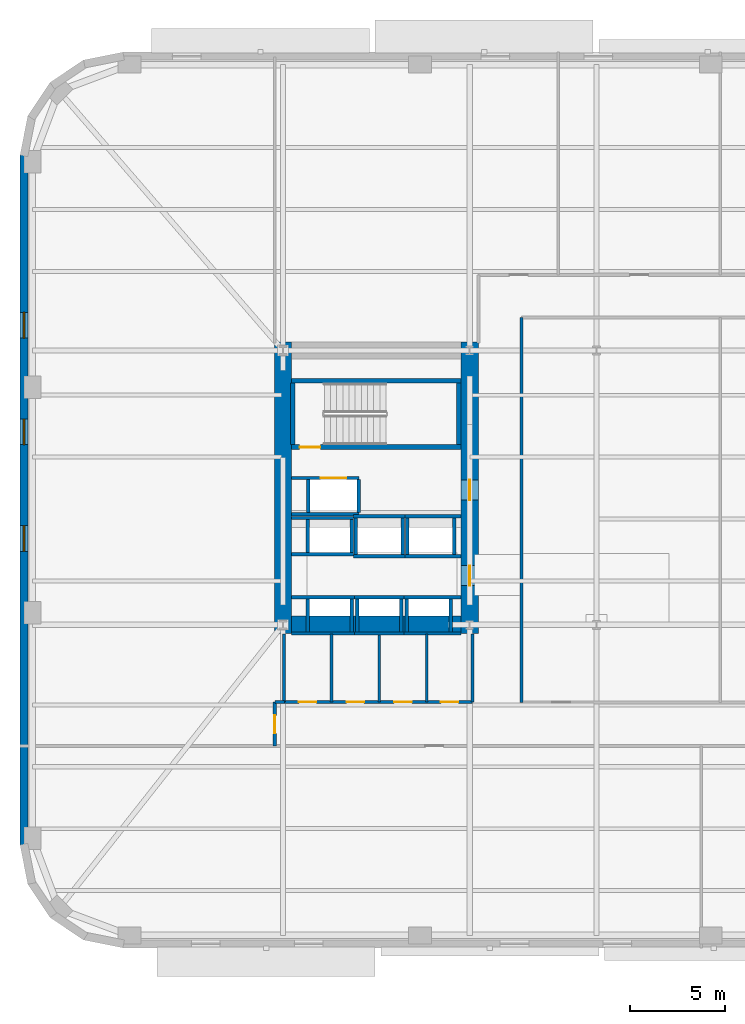
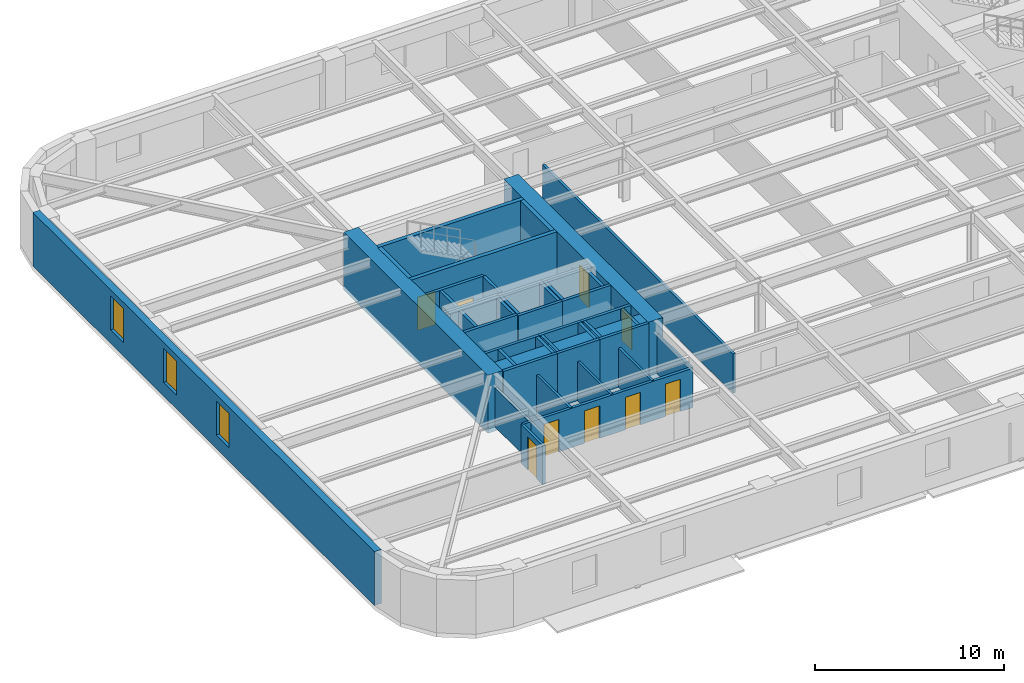
# One storey, part 4 of 15: 45 walls, 9 doors, 3 windows, 12 openings.
"""IFC4 building model written with IfcOpenShell, lengths in metres."""

from ifc_helpers import new_model, si_unit, direction, frame, frame_2d, origin, place, context, subcontext, project, spatial, rectangle, extrude, material, layer, layer_set, type_object, element, fill, save


model = new_model("IFC4")

# Units and contexts
model_context = context("Model", 3, precision=1e-05, world=origin(), true_north=direction((0.0, 1.0)))
body_context = subcontext(model_context, "Body", "Model", "MODEL_VIEW")
ifc_project = project(units=[si_unit("LENGTHUNIT", "METRE"), si_unit("AREAUNIT", "SQUARE_METRE"), si_unit("VOLUMEUNIT", "CUBIC_METRE"), si_unit("PLANEANGLEUNIT", "RADIAN"), si_unit("MASSUNIT", "GRAM", prefix="KILO")], contexts=[model_context])

# Site, building, storey
site_placement = place(None, origin())
site = spatial("IfcSite", under=ifc_project, at=site_placement, CompositionType="ELEMENT")
building_placement = place(site_placement, origin())
building = spatial("IfcBuilding", under=site, at=building_placement, Name="Kolvaren Arena Tower", CompositionType="ELEMENT")
storey_placement = place(building_placement, frame((0.0, 0.0, 45.75)))
storey = spatial("IfcBuildingStorey", under=building, at=storey_placement, Name="L08", CompositionType="ELEMENT", Elevation=45.75)

# Wall
ifc_material_1 = material(Name="Gypsum board acoustic assembly", Category="gypsum")
ifc_layer_1 = layer(ifc_material_1, 0.159912109375)
ifc_layer_set_1 = layer_set([ifc_layer_1], Name="Gypsum board acoustic assembly")
wall_type_1 = type_object("IfcWallType", Name="CORR-160", PredefinedType="PARTITIONING", material=ifc_layer_set_1)
wall_1_placement = place(storey_placement, frame((27.080078125, 15.3798828125, 0.0), z_axis=(0.0, 0.0, 1.0), x_axis=(0.0, 1.0, 0.0)))
element("IfcWall", 1, at=wall_1_placement, inside=storey, type_object=wall_type_1, Name="Interior Partition Wall (L08)", PredefinedType="PARTITIONING", context=body_context, shape_type="SweptSolid", body=[
    extrude(rectangle(XDim=20.2001953125, YDim=0.159912109375, at=frame_2d((10.10009765625, 0.0))), origin(), (0.0, 0.0, 1.0), 2.5400390625),
])

# Wall, opening, door
wall_2_placement = place(storey_placement, frame((14.1201171875, 13.10009765625, 0.0), z_axis=(0.0, 0.0, 1.0), x_axis=(0.0, 1.0, 0.0)))
wall_2 = element("IfcWall", 2, at=wall_2_placement, inside=storey, type_object=wall_type_1, Name="Interior Partition Wall (L08)", PredefinedType="PARTITIONING", context=body_context, shape_type="SweptSolid", body=[
    extrude(rectangle(XDim=2.2998046875, YDim=0.159912109375, at=frame_2d((1.14990234375, 0.0))), origin(), (0.0, 0.0, 1.0), 2.5400390625),
])
opening_1_placement = place(wall_2_placement, frame((0.64990234375, 0.0, 0.0)))
opening_1 = element("IfcOpeningElement", 3, at=opening_1_placement, cuts=wall_2, Name="Opening D05", PredefinedType="OPENING", context=body_context, shape_type="SweptSolid", body=[
    extrude(rectangle(XDim=0.949951171875, YDim=2.14990234375, at=frame_2d((0.47509765625, 1.074951171875))), frame((0.0, 0.08984375, 0.0), z_axis=(0.0, -1.0, 0.0), x_axis=(1.0, 0.0, 0.0)), (0.0, 0.0, 1.0), 0.179931640625),
])
ifc_material_2 = material(Name="Solid-core oak acoustic office door", Category="wood")
door_type_1 = type_object("IfcDoorType", Name="DOOR-OF-095", OperationType="NOTDEFINED", PredefinedType="DOOR", material=ifc_material_2)
door_1_placement = place(opening_1_placement, origin())
door_1 = element("IfcDoor", 4, at=door_1_placement, inside=storey, type_object=door_type_1, Name="West Wing Office Door (L08)", OperationType="SINGLE_SWING_LEFT", OverallHeight=2.14990234375, OverallWidth=0.949951171875, PredefinedType="DOOR", context=body_context, shape_type="SweptSolid", body=[
    extrude(rectangle(XDim=0.949951171875, YDim=2.14990234375, at=frame_2d((0.47509765625, 1.074951171875))), frame((0.0, 0.02490234375, 0.0), z_axis=(0.0, -1.0, 0.0), x_axis=(1.0, 0.0, 0.0)), (0.0, 0.0, 1.0), 0.050048828125),
])
fill(opening_1, door_1)

# Walls
wall_3_placement = place(storey_placement, frame((14.1201171875, 15.39990234375, 0.0), z_axis=(0.0, 0.0, 1.0), x_axis=(1.0, 0.0, 0.0)))
element("IfcWall", 5, at=wall_3_placement, inside=storey, type_object=wall_type_1, Name="Interior Partition Wall (L08)", PredefinedType="PARTITIONING", context=body_context, shape_type="SweptSolid", body=[
    extrude(rectangle(XDim=0.5, YDim=0.159912109375, at=frame_2d((0.25, 0.0))), origin(), (0.0, 0.0, 1.0), 2.5400390625),
])
ifc_material_3 = material(Name="Concrete 80 MPa", Category="concrete")
ifc_layer_2 = layer(ifc_material_3, 0.89990234375)
ifc_layer_set_2 = layer_set([ifc_layer_2], Name="Concrete 80 MPa")
wall_type_2 = type_object("IfcWallType", Name="CWALL-900", PredefinedType="SHEAR", material=ifc_layer_set_2)
wall_4_placement = place(storey_placement, frame((14.550048828125, 19.0, -0.27001953125), z_axis=(0.0, 0.0, 1.0), x_axis=(0.0, 1.0, 0.0)))
element("IfcWall", 6, at=wall_4_placement, inside=storey, type_object=wall_type_2, Name="Core Shear Wall WC-WEST (L08)", PredefinedType="SHEAR", context=body_context, shape_type="SweptSolid", body=[
    extrude(rectangle(XDim=15.300048828125, YDim=0.89990234375, at=frame_2d((7.64990234375, 0.0))), origin(), (0.0, 0.0, 1.0), 3.75),
])

# Wall, openings, doors
wall_5_placement = place(storey_placement, frame((24.35009765625, 19.0, -0.27001953125), z_axis=(0.0, 0.0, 1.0), x_axis=(0.0, 1.0, 0.0)))
wall_5 = element("IfcWall", 7, at=wall_5_placement, inside=storey, type_object=wall_type_2, Name="Core Shear Wall WC-EAST (L08)", PredefinedType="SHEAR", context=body_context, shape_type="SweptSolid", body=[
    extrude(rectangle(XDim=15.300048828125, YDim=0.89990234375, at=frame_2d((7.64990234375, 0.0))), origin(), (0.0, 0.0, 1.0), 3.75),
])
opening_2_placement = place(wall_5_placement, frame((2.5, 0.0, 0.27001953125)))
opening_2 = element("IfcOpeningElement", 8, at=opening_2_placement, cuts=wall_5, Name="Opening D04", PredefinedType="OPENING", context=body_context, shape_type="SweptSolid", body=[
    extrude(rectangle(XDim=1.050048828125, YDim=2.14990234375, at=frame_2d((0.52490234375, 1.074951171875))), frame((0.0, 0.4599609375, 0.0), z_axis=(0.0, -1.0, 0.0), x_axis=(1.0, 0.0, 0.0)), (0.0, 0.0, 1.0), 0.919921875),
])
opening_3_placement = place(wall_5_placement, frame((7.0, 0.0, 0.27001953125)))
opening_3 = element("IfcOpeningElement", 9, at=opening_3_placement, cuts=wall_5, Name="Opening D04", PredefinedType="OPENING", context=body_context, shape_type="SweptSolid", body=[
    extrude(rectangle(XDim=1.050048828125, YDim=2.14990234375, at=frame_2d((0.52490234375, 1.074951171875))), frame((0.0, 0.4599609375, 0.0), z_axis=(0.0, -1.0, 0.0), x_axis=(1.0, 0.0, 0.0)), (0.0, 0.0, 1.0), 0.919921875),
])
ifc_material_4 = material(Name="Fire-rated steel lobby door", Category="steel")
door_type_2 = type_object("IfcDoorType", Name="DOOR-FF-105", OperationType="NOTDEFINED", PredefinedType="DOOR", material=ifc_material_4)
door_2_placement = place(opening_2_placement, origin())
door_2 = element("IfcDoor", 10, at=door_2_placement, inside=storey, type_object=door_type_2, Name="West Lift Lobby Fire Door (L08)", OperationType="SINGLE_SWING_LEFT", OverallHeight=2.14990234375, OverallWidth=1.050048828125, PredefinedType="DOOR", context=body_context, shape_type="SweptSolid", body=[
    extrude(rectangle(XDim=1.050048828125, YDim=2.14990234375, at=frame_2d((0.52490234375, 1.074951171875))), frame((0.0, 0.02490234375, 0.0), z_axis=(0.0, -1.0, 0.0), x_axis=(1.0, 0.0, 0.0)), (0.0, 0.0, 1.0), 0.050048828125),
])
fill(opening_2, door_2)
door_3_placement = place(opening_3_placement, origin())
door_3 = element("IfcDoor", 11, at=door_3_placement, inside=storey, type_object=door_type_2, Name="West Firefighter Vestibule Door (L08)", OperationType="SINGLE_SWING_RIGHT", OverallHeight=2.14990234375, OverallWidth=1.050048828125, PredefinedType="DOOR", context=body_context, shape_type="SweptSolid", body=[
    extrude(rectangle(XDim=1.050048828125, YDim=2.14990234375, at=frame_2d((0.52490234375, 1.074951171875))), frame((0.0, 0.02490234375, 0.0), z_axis=(0.0, -1.0, 0.0), x_axis=(1.0, 0.0, 0.0)), (0.0, 0.0, 1.0), 0.050048828125),
])
fill(opening_3, door_3)

# Wall
wall_6_placement = place(storey_placement, frame((15.0, 19.449951171875, -0.27001953125), z_axis=(0.0, 0.0, 1.0), x_axis=(1.0, 0.0, 0.0)))
element("IfcWall", 12, at=wall_6_placement, inside=storey, type_object=wall_type_2, Name="Core Shear Wall WC-SOUTH (L08)", PredefinedType="SHEAR", context=body_context, shape_type="SweptSolid", body=[
    extrude(rectangle(XDim=8.89990234375, YDim=0.89990234375, at=frame_2d((4.449951171875, 0.0))), origin(), (0.0, 0.0, 1.0), 3.75),
])

# Wall, openings, windows
ifc_material_5 = material(Name="Precast concrete C50/60", Category="concrete")
ifc_layer_3 = layer(ifc_material_5, 0.419921875)
ifc_layer_set_3 = layer_set([ifc_layer_3], Name="Precast concrete C50/60")
wall_type_3 = type_object("IfcWallType", Name="EXT-PIER1", PredefinedType="SOLIDWALL", material=ifc_layer_set_3)
wall_7_placement = place(storey_placement, frame((0.9599609375, 7.89990234375, 0.0), z_axis=(0.0, 0.0, 1.0), x_axis=(0.0, 1.0, 0.0)))
wall_7 = element("IfcWall", 13, at=wall_7_placement, inside=storey, type_object=wall_type_3, Name="Exterior Precast Masonry-Frame Wall (L08)", PredefinedType="SOLIDWALL", context=body_context, shape_type="SweptSolid", body=[
    extrude(rectangle(XDim=36.2001953125, YDim=0.419921875, at=frame_2d((18.10009765625, 0.0))), origin(), (0.0, 0.0, 1.0), 3.47998046875),
])
opening_4_placement = place(wall_7_placement, frame((15.39990234375, 0.0, 0.8798828125)))
opening_4 = element("IfcOpeningElement", 14, at=opening_4_placement, cuts=wall_7, Name="Opening W04", PredefinedType="OPENING", context=body_context, shape_type="SweptSolid", body=[
    extrude(rectangle(XDim=1.35009765625, YDim=2.199951171875, at=frame_2d((0.675048828125, 1.10009765625))), frame((0.0, 0.219970703125, 0.0), z_axis=(0.0, -1.0, 0.0), x_axis=(1.0, 0.0, 0.0)), (0.0, 0.0, 1.0), 0.43994140625),
])
opening_5_placement = place(wall_7_placement, frame((21.0, 0.0, 0.8798828125)))
opening_5 = element("IfcOpeningElement", 15, at=opening_5_placement, cuts=wall_7, Name="Opening W04", PredefinedType="OPENING", context=body_context, shape_type="SweptSolid", body=[
    extrude(rectangle(XDim=1.35009765625, YDim=2.199951171875, at=frame_2d((0.675048828125, 1.10009765625))), frame((0.0, 0.219970703125, 0.0), z_axis=(0.0, -1.0, 0.0), x_axis=(1.0, 0.0, 0.0)), (0.0, 0.0, 1.0), 0.43994140625),
])
opening_6_placement = place(wall_7_placement, frame((26.60009765625, 0.0, 0.8798828125)))
opening_6 = element("IfcOpeningElement", 16, at=opening_6_placement, cuts=wall_7, Name="Opening W04", PredefinedType="OPENING", context=body_context, shape_type="SweptSolid", body=[
    extrude(rectangle(XDim=1.35009765625, YDim=2.199951171875, at=frame_2d((0.675048828125, 1.10009765625))), frame((0.0, 0.219970703125, 0.0), z_axis=(0.0, -1.0, 0.0), x_axis=(1.0, 0.0, 0.0)), (0.0, 0.0, 1.0), 0.43994140625),
])
ifc_material_6 = material(Name="Triple-glazed curved-facet corner window", Category="glass")
window_type = type_object("IfcWindowType", Name="WIN-CRN-A", PartitioningType="SINGLE_PANEL", PredefinedType="WINDOW", material=ifc_material_6)
window_1_placement = place(opening_4_placement, origin())
window_1 = element("IfcWindow", 17, at=window_1_placement, inside=storey, type_object=window_type, Name="End-Wall Punched Window (L08)", OverallHeight=2.199951171875, OverallWidth=1.35009765625, PartitioningType="SINGLE_PANEL", PredefinedType="WINDOW", context=body_context, shape_type="SweptSolid", body=[
    extrude(rectangle(XDim=1.35009765625, YDim=2.199951171875, at=frame_2d((0.675048828125, 1.10009765625))), frame((0.0, 0.030029296875, 0.0), z_axis=(0.0, -1.0, 0.0), x_axis=(1.0, 0.0, 0.0)), (0.0, 0.0, 1.0), 0.06005859375),
])
fill(opening_4, window_1)
window_2_placement = place(opening_5_placement, origin())
window_2 = element("IfcWindow", 18, at=window_2_placement, inside=storey, type_object=window_type, Name="End-Wall Punched Window (L08)", OverallHeight=2.199951171875, OverallWidth=1.35009765625, PartitioningType="SINGLE_PANEL", PredefinedType="WINDOW", context=body_context, shape_type="SweptSolid", body=[
    extrude(rectangle(XDim=1.35009765625, YDim=2.199951171875, at=frame_2d((0.675048828125, 1.10009765625))), frame((0.0, 0.030029296875, 0.0), z_axis=(0.0, -1.0, 0.0), x_axis=(1.0, 0.0, 0.0)), (0.0, 0.0, 1.0), 0.06005859375),
])
fill(opening_5, window_2)
window_3_placement = place(opening_6_placement, origin())
window_3 = element("IfcWindow", 19, at=window_3_placement, inside=storey, type_object=window_type, Name="End-Wall Punched Window (L08)", OverallHeight=2.199951171875, OverallWidth=1.35009765625, PartitioningType="SINGLE_PANEL", PredefinedType="WINDOW", context=body_context, shape_type="SweptSolid", body=[
    extrude(rectangle(XDim=1.35009765625, YDim=2.199951171875, at=frame_2d((0.675048828125, 1.10009765625))), frame((0.0, 0.030029296875, 0.0), z_axis=(0.0, -1.0, 0.0), x_axis=(1.0, 0.0, 0.0)), (0.0, 0.0, 1.0), 0.06005859375),
])
fill(opening_6, window_3)

# Wall, opening, door
ifc_material_7 = material(Name="Concrete 45 MPa", Category="concrete")
ifc_layer_4 = layer(ifc_material_7, 0.25)
ifc_layer_set_4 = layer_set([ifc_layer_4], Name="Concrete 45 MPa")
wall_type_4 = type_object("IfcWallType", Name="SHAFT-250", PredefinedType="SOLIDWALL", material=ifc_layer_set_4)
wall_8_placement = place(storey_placement, frame((23.89990234375, 28.780029296875, 0.0), z_axis=(0.0, 0.0, 1.0), x_axis=(-1.0, 0.0, 0.0)))
wall_8 = element("IfcWall", 20, at=wall_8_placement, inside=storey, type_object=wall_type_4, Name="Core Shaft Wall (L08)", PredefinedType="SOLIDWALL", context=body_context, shape_type="SweptSolid", body=[
    extrude(rectangle(XDim=8.89990234375, YDim=0.239990234375, at=frame_2d((4.449951171875, 0.0))), origin(), (0.0, 0.0, 1.0), 3.47998046875),
])
opening_7_placement = place(wall_8_placement, frame((7.3798828125, 0.0, 0.0)))
opening_7 = element("IfcOpeningElement", 21, at=opening_7_placement, cuts=wall_8, Name="Opening D03", PredefinedType="OPENING", context=body_context, shape_type="SweptSolid", body=[
    extrude(rectangle(XDim=1.10009765625, YDim=2.14990234375, at=frame_2d((0.550048828125, 1.074951171875))), frame((0.0, 0.1298828125, 0.0), z_axis=(0.0, -1.0, 0.0), x_axis=(1.0, 0.0, 0.0)), (0.0, 0.0, 1.0), 0.260009765625),
])
ifc_material_8 = material(Name="Fire-rated steel exit stair door", Category="steel")
door_type_3 = type_object("IfcDoorType", Name="DOOR-ST-110", OperationType="NOTDEFINED", PredefinedType="DOOR", material=ifc_material_8)
door_4_placement = place(opening_7_placement, origin())
door_4 = element("IfcDoor", 22, at=door_4_placement, inside=storey, type_object=door_type_3, Name="Stair ST-W1 Fire Door (L08)", OperationType="SINGLE_SWING_RIGHT", OverallHeight=2.14990234375, OverallWidth=1.10009765625, PredefinedType="DOOR", context=body_context, shape_type="SweptSolid", body=[
    extrude(rectangle(XDim=1.10009765625, YDim=2.14990234375, at=frame_2d((0.550048828125, 1.074951171875))), frame((0.0, 0.02490234375, 0.0), z_axis=(0.0, -1.0, 0.0), x_axis=(1.0, 0.0, 0.0)), (0.0, 0.0, 1.0), 0.050048828125),
])
fill(opening_7, door_4)

# Walls
wall_9_placement = place(storey_placement, frame((15.0, 32.25, 0.0), z_axis=(0.0, 0.0, 1.0), x_axis=(1.0, 0.0, 0.0)))
element("IfcWall", 23, at=wall_9_placement, inside=storey, type_object=wall_type_4, Name="Core Shaft Wall (L08)", PredefinedType="SOLIDWALL", context=body_context, shape_type="SweptSolid", body=[
    extrude(rectangle(XDim=8.89990234375, YDim=0.239990234375, at=frame_2d((4.449951171875, 0.0))), origin(), (0.0, 0.0, 1.0), 3.47998046875),
])
for number, where, z_axis, x_axis, name in (
    (24, (15.06005859375, 28.89990234375, 0.0), (0.0, 0.0, 1.0), (0.0, 1.0, 0.0), "Core Shaft Wall (L08)"),
    (25, (23.780029296875, 28.89990234375, 0.0), (0.0, 0.0, 1.0), (0.0, 1.0, 0.0), "Core Shaft Wall (L08)"),
):
    element("IfcWall", number, at=place(storey_placement, frame(where, z_axis=z_axis, x_axis=x_axis)), inside=storey, type_object=wall_type_4, Name=name, PredefinedType="SOLIDWALL", context=body_context, shape_type="SweptSolid", body=[
        extrude(rectangle(XDim=3.22998046875, YDim=0.239990234375, at=frame_2d((1.614990234375, 0.0))), origin(), (0.0, 0.0, 1.0), 3.47998046875),
    ])
for number, where, z_axis, x_axis, name in (
    (26, (15.0, 20.905029296875, 0.0), (0.0, 0.0, 1.0), (1.0, 0.0, 0.0), "Core Shaft Wall (L08)"),
    (27, (15.0, 18.9951171875, 0.0), (0.0, 0.0, 1.0), (1.0, 0.0, 0.0), "Core Shaft Wall (L08)"),
):
    element("IfcWall", number, at=place(storey_placement, frame(where, z_axis=z_axis, x_axis=x_axis)), inside=storey, type_object=wall_type_4, Name=name, PredefinedType="SOLIDWALL", context=body_context, shape_type="SweptSolid", body=[
        extrude(rectangle(XDim=3.300048828125, YDim=0.179931640625, at=frame_2d((1.64990234375, 0.0))), origin(), (0.0, 0.0, 1.0), 3.47998046875),
    ])
for number, where, z_axis, x_axis, name in (
    (28, (15.844970703125, 19.0849609375, 0.0), (0.0, 0.0, 1.0), (0.0, 1.0, 0.0), "Core Shaft Wall (L08)"),
    (29, (18.155029296875, 19.0849609375, 0.0), (0.0, 0.0, 1.0), (0.0, 1.0, 0.0), "Core Shaft Wall (L08)"),
):
    element("IfcWall", number, at=place(storey_placement, frame(where, z_axis=z_axis, x_axis=x_axis)), inside=storey, type_object=wall_type_4, Name=name, PredefinedType="SOLIDWALL", context=body_context, shape_type="SweptSolid", body=[
        extrude(rectangle(XDim=1.72998046875, YDim=0.179931640625, at=frame_2d((0.864990234375, 0.0))), origin(), (0.0, 0.0, 1.0), 3.47998046875),
    ])
for number, where, z_axis, x_axis, name in (
    (30, (18.300048828125, 20.905029296875, 0.0), (0.0, 0.0, 1.0), (1.0, 0.0, 0.0), "Core Shaft Wall (L08)"),
    (31, (18.300048828125, 18.9951171875, 0.0), (0.0, 0.0, 1.0), (1.0, 0.0, 0.0), "Core Shaft Wall (L08)"),
):
    element("IfcWall", number, at=place(storey_placement, frame(where, z_axis=z_axis, x_axis=x_axis)), inside=storey, type_object=wall_type_4, Name=name, PredefinedType="SOLIDWALL", context=body_context, shape_type="SweptSolid", body=[
        extrude(rectangle(XDim=2.599853515625, YDim=0.179931640625, at=frame_2d((1.2998046875, 0.0))), origin(), (0.0, 0.0, 1.0), 3.47998046875),
    ])
for number, where, z_axis, x_axis, name in (
    (32, (18.445068359375, 19.0849609375, 0.0), (0.0, 0.0, 1.0), (0.0, 1.0, 0.0), "Core Shaft Wall (L08)"),
    (33, (20.7548828125, 19.0849609375, 0.0), (0.0, 0.0, 1.0), (0.0, 1.0, 0.0), "Core Shaft Wall (L08)"),
):
    element("IfcWall", number, at=place(storey_placement, frame(where, z_axis=z_axis, x_axis=x_axis)), inside=storey, type_object=wall_type_4, Name=name, PredefinedType="SOLIDWALL", context=body_context, shape_type="SweptSolid", body=[
        extrude(rectangle(XDim=1.72998046875, YDim=0.179931640625, at=frame_2d((0.864990234375, 0.0))), origin(), (0.0, 0.0, 1.0), 3.47998046875),
    ])
for number, where, z_axis, x_axis, name in (
    (34, (20.89990234375, 20.905029296875, 0.0), (0.0, 0.0, 1.0), (1.0, 0.0, 0.0), "Core Shaft Wall (L08)"),
    (35, (20.89990234375, 18.9951171875, 0.0), (0.0, 0.0, 1.0), (1.0, 0.0, 0.0), "Core Shaft Wall (L08)"),
):
    element("IfcWall", number, at=place(storey_placement, frame(where, z_axis=z_axis, x_axis=x_axis)), inside=storey, type_object=wall_type_4, Name=name, PredefinedType="SOLIDWALL", context=body_context, shape_type="SweptSolid", body=[
        extrude(rectangle(XDim=3.0, YDim=0.179931640625, at=frame_2d((1.5, 0.0))), origin(), (0.0, 0.0, 1.0), 3.47998046875),
    ])
for number, where, z_axis, x_axis, name in (
    (36, (21.044921875, 19.0849609375, 0.0), (0.0, 0.0, 1.0), (0.0, 1.0, 0.0), "Core Shaft Wall (L08)"),
    (37, (23.35498046875, 19.0849609375, 0.0), (0.0, 0.0, 1.0), (0.0, 1.0, 0.0), "Core Shaft Wall (L08)"),
):
    element("IfcWall", number, at=place(storey_placement, frame(where, z_axis=z_axis, x_axis=x_axis)), inside=storey, type_object=wall_type_4, Name=name, PredefinedType="SOLIDWALL", context=body_context, shape_type="SweptSolid", body=[
        extrude(rectangle(XDim=1.72998046875, YDim=0.179931640625, at=frame_2d((0.864990234375, 0.0))), origin(), (0.0, 0.0, 1.0), 3.47998046875),
    ])
for number, where, z_axis, x_axis, name in (
    (38, (15.0, 25.054931640625, 0.0), (0.0, 0.0, 1.0), (1.0, 0.0, 0.0), "Core Shaft Wall (L08)"),
    (39, (15.0, 23.14501953125, 0.0), (0.0, 0.0, 1.0), (1.0, 0.0, 0.0), "Core Shaft Wall (L08)"),
):
    element("IfcWall", number, at=place(storey_placement, frame(where, z_axis=z_axis, x_axis=x_axis)), inside=storey, type_object=wall_type_4, Name=name, PredefinedType="SOLIDWALL", context=body_context, shape_type="SweptSolid", body=[
        extrude(rectangle(XDim=3.262451171875, YDim=0.179931640625, at=frame_2d((1.63134765625, 0.0))), origin(), (0.0, 0.0, 1.0), 3.47998046875),
    ])
for number, where, z_axis, x_axis, name in (
    (40, (15.844970703125, 23.235107421875, 0.0), (0.0, 0.0, 1.0), (0.0, 1.0, 0.0), "Core Shaft Wall (L08)"),
    (41, (18.155029296875, 23.235107421875, 0.0), (0.0, 0.0, 1.0), (0.0, 1.0, 0.0), "Core Shaft Wall (L08)"),
):
    element("IfcWall", number, at=place(storey_placement, frame(where, z_axis=z_axis, x_axis=x_axis)), inside=storey, type_object=wall_type_4, Name=name, PredefinedType="SOLIDWALL", context=body_context, shape_type="SweptSolid", body=[
        extrude(rectangle(XDim=1.72998046875, YDim=0.179931640625, at=frame_2d((0.864990234375, 0.0))), origin(), (0.0, 0.0, 1.0), 3.47998046875),
    ])
for number, where, z_axis, x_axis, name in (
    (42, (18.262451171875, 25.155029296875, 0.0), (0.0, 0.0, 1.0), (1.0, 0.0, 0.0), "Core Shaft Wall (L08)"),
    (43, (18.262451171875, 23.044921875, 0.0), (0.0, 0.0, 1.0), (1.0, 0.0, 0.0), "Core Shaft Wall (L08)"),
):
    element("IfcWall", number, at=place(storey_placement, frame(where, z_axis=z_axis, x_axis=x_axis)), inside=storey, type_object=wall_type_4, Name=name, PredefinedType="SOLIDWALL", context=body_context, shape_type="SweptSolid", body=[
        extrude(rectangle(XDim=2.6875, YDim=0.179931640625, at=frame_2d((1.34375, 0.0))), origin(), (0.0, 0.0, 1.0), 3.47998046875),
    ])
for number, where, z_axis, x_axis, name in (
    (44, (18.3701171875, 23.135009765625, 0.0), (0.0, 0.0, 1.0), (0.0, 1.0, 0.0), "Core Shaft Wall (L08)"),
    (45, (20.830078125, 23.135009765625, 0.0), (0.0, 0.0, 1.0), (0.0, 1.0, 0.0), "Core Shaft Wall (L08)"),
):
    element("IfcWall", number, at=place(storey_placement, frame(where, z_axis=z_axis, x_axis=x_axis)), inside=storey, type_object=wall_type_4, Name=name, PredefinedType="SOLIDWALL", context=body_context, shape_type="SweptSolid", body=[
        extrude(rectangle(XDim=1.929931640625, YDim=0.179931640625, at=frame_2d((0.96484375, 0.0))), origin(), (0.0, 0.0, 1.0), 3.47998046875),
    ])
for number, where, z_axis, x_axis, name in (
    (46, (20.949951171875, 25.155029296875, 0.0), (0.0, 0.0, 1.0), (1.0, 0.0, 0.0), "Core Shaft Wall (L08)"),
    (47, (20.949951171875, 23.044921875, 0.0), (0.0, 0.0, 1.0), (1.0, 0.0, 0.0), "Core Shaft Wall (L08)"),
):
    element("IfcWall", number, at=place(storey_placement, frame(where, z_axis=z_axis, x_axis=x_axis)), inside=storey, type_object=wall_type_4, Name=name, PredefinedType="SOLIDWALL", context=body_context, shape_type="SweptSolid", body=[
        extrude(rectangle(XDim=2.949951171875, YDim=0.179931640625, at=frame_2d((1.47509765625, 0.0))), origin(), (0.0, 0.0, 1.0), 3.47998046875),
    ])
for number, where, z_axis, x_axis, name in (
    (48, (21.070068359375, 23.135009765625, 0.0), (0.0, 0.0, 1.0), (0.0, 1.0, 0.0), "Core Shaft Wall (L08)"),
    (49, (23.530029296875, 23.135009765625, 0.0), (0.0, 0.0, 1.0), (0.0, 1.0, 0.0), "Core Shaft Wall (L08)"),
):
    element("IfcWall", number, at=place(storey_placement, frame(where, z_axis=z_axis, x_axis=x_axis)), inside=storey, type_object=wall_type_4, Name=name, PredefinedType="SOLIDWALL", context=body_context, shape_type="SweptSolid", body=[
        extrude(rectangle(XDim=1.929931640625, YDim=0.179931640625, at=frame_2d((0.96484375, 0.0))), origin(), (0.0, 0.0, 1.0), 3.47998046875),
    ])

# Wall, opening, door
wall_10_placement = place(storey_placement, frame((15.0, 27.155029296875, 0.0), z_axis=(0.0, 0.0, 1.0), x_axis=(1.0, 0.0, 0.0)))
wall_10 = element("IfcWall", 50, at=wall_10_placement, inside=storey, type_object=wall_type_4, Name="Core Shaft Wall (L08)", PredefinedType="SOLIDWALL", context=body_context, shape_type="SweptSolid", body=[
    extrude(rectangle(XDim=3.530029296875, YDim=0.179931640625, at=frame_2d((1.76513671875, 0.0))), origin(), (0.0, 0.0, 1.0), 3.47998046875),
])
opening_8_placement = place(wall_10_placement, frame((1.52490234375, 0.0, 0.0)))
opening_8 = element("IfcOpeningElement", 51, at=opening_8_placement, cuts=wall_10, Name="Opening LD2", PredefinedType="OPENING", context=body_context, shape_type="SweptSolid", body=[
    extrude(rectangle(XDim=1.35009765625, YDim=2.300048828125, at=frame_2d((0.675048828125, 1.14990234375))), frame((0.0, 0.099853515625, 0.0), z_axis=(0.0, -1.0, 0.0), x_axis=(1.0, 0.0, 0.0)), (0.0, 0.0, 1.0), 0.199951171875),
])
ifc_material_9 = material(Name="Stainless steel firefighter lift landing door", Category="steel")
door_type_4 = type_object("IfcDoorType", Name="DOOR-LD-135", OperationType="DOUBLE_DOOR_SLIDING", PredefinedType="DOOR", material=ifc_material_9)
door_5_placement = place(opening_8_placement, origin())
door_5 = element("IfcDoor", 52, at=door_5_placement, inside=storey, type_object=door_type_4, Name="Firefighter Lift FF-W1 Landing Door (L08)", OperationType="DOUBLE_DOOR_SLIDING", OverallHeight=2.300048828125, OverallWidth=1.35009765625, PredefinedType="DOOR", context=body_context, shape_type="SweptSolid", body=[
    extrude(rectangle(XDim=1.35009765625, YDim=2.300048828125, at=frame_2d((0.675048828125, 1.14990234375))), frame((0.0, 0.02490234375, 0.0), z_axis=(0.0, -1.0, 0.0), x_axis=(1.0, 0.0, 0.0)), (0.0, 0.0, 1.0), 0.050048828125),
])
fill(opening_8, door_5)

# Walls
wall_11_placement = place(storey_placement, frame((15.0, 25.2451171875, 0.0), z_axis=(0.0, 0.0, 1.0), x_axis=(1.0, 0.0, 0.0)))
element("IfcWall", 53, at=wall_11_placement, inside=storey, type_object=wall_type_4, Name="Core Shaft Wall (L08)", PredefinedType="SOLIDWALL", context=body_context, shape_type="SweptSolid", body=[
    extrude(rectangle(XDim=3.530029296875, YDim=0.179931640625, at=frame_2d((1.76513671875, 0.0))), origin(), (0.0, 0.0, 1.0), 3.47998046875),
])
for number, where, z_axis, x_axis, name in (
    (54, (15.8701171875, 25.3349609375, 0.0), (0.0, 0.0, 1.0), (0.0, 1.0, 0.0), "Core Shaft Wall (L08)"),
    (55, (18.530029296875, 25.3349609375, 0.0), (0.0, 0.0, 1.0), (0.0, 1.0, 0.0), "Core Shaft Wall (L08)"),
):
    element("IfcWall", number, at=place(storey_placement, frame(where, z_axis=z_axis, x_axis=x_axis)), inside=storey, type_object=wall_type_4, Name=name, PredefinedType="SOLIDWALL", context=body_context, shape_type="SweptSolid", body=[
        extrude(rectangle(XDim=1.72998046875, YDim=0.179931640625, at=frame_2d((0.864990234375, 0.0))), origin(), (0.0, 0.0, 1.0), 3.47998046875),
    ])
ifc_material_10 = material(Name="Moisture-resistant gypsum assembly", Category="gypsum")
ifc_layer_5 = layer(ifc_material_10, 0.14990234375)
ifc_layer_set_5 = layer_set([ifc_layer_5], Name="Moisture-resistant gypsum assembly")
wall_type_5 = type_object("IfcWallType", Name="WETW-150", PredefinedType="PARTITIONING", material=ifc_layer_set_5)
for number, where, z_axis, x_axis, name in (
    (56, (17.10009765625, 15.39990234375, 0.0), (0.0, 0.0, 1.0), (0.0, 1.0, 0.0), "Interior Partition Wall (L08)"),
    (57, (19.60009765625, 15.39990234375, 0.0), (0.0, 0.0, 1.0), (0.0, 1.0, 0.0), "Interior Partition Wall (L08)"),
    (58, (22.10009765625, 15.39990234375, 0.0), (0.0, 0.0, 1.0), (0.0, 1.0, 0.0), "Interior Partition Wall (L08)"),
):
    element("IfcWall", number, at=place(storey_placement, frame(where, z_axis=z_axis, x_axis=x_axis)), inside=storey, type_object=wall_type_5, Name=name, PredefinedType="PARTITIONING", context=body_context, shape_type="SweptSolid", body=[
        extrude(rectangle(XDim=3.580078125, YDim=0.14990234375, at=frame_2d((1.7900390625, 0.0))), origin(), (0.0, 0.0, 1.0), 2.5400390625),
    ])

# Wall, openings, doors
wall_12_placement = place(storey_placement, frame((14.60009765625, 15.39990234375, 0.0), z_axis=(0.0, 0.0, 1.0), x_axis=(1.0, 0.0, 0.0)))
wall_12 = element("IfcWall", 59, at=wall_12_placement, inside=storey, type_object=wall_type_5, Name="Interior Partition Wall (L08)", PredefinedType="PARTITIONING", context=body_context, shape_type="SweptSolid", body=[
    extrude(rectangle(XDim=9.89990234375, YDim=0.179931640625, at=frame_2d((4.949951171875, 0.0))), origin(), (0.0, 0.0, 1.0), 2.5400390625),
])
opening_9_placement = place(wall_12_placement, frame((0.7900390625, 0.0, 0.0)))
opening_9 = element("IfcOpeningElement", 60, at=opening_9_placement, cuts=wall_12, Name="Opening D07", PredefinedType="OPENING", context=body_context, shape_type="SweptSolid", body=[
    extrude(rectangle(XDim=0.919921875, YDim=2.10009765625, at=frame_2d((0.4599609375, 1.050048828125))), frame((0.0, 0.099853515625, 0.0), z_axis=(0.0, -1.0, 0.0), x_axis=(1.0, 0.0, 0.0)), (0.0, 0.0, 1.0), 0.199951171875),
])
opening_10_placement = place(wall_12_placement, frame((3.2900390625, 0.0, 0.0)))
opening_10 = element("IfcOpeningElement", 61, at=opening_10_placement, cuts=wall_12, Name="Opening D07", PredefinedType="OPENING", context=body_context, shape_type="SweptSolid", body=[
    extrude(rectangle(XDim=0.919921875, YDim=2.10009765625, at=frame_2d((0.4599609375, 1.050048828125))), frame((0.0, 0.099853515625, 0.0), z_axis=(0.0, -1.0, 0.0), x_axis=(1.0, 0.0, 0.0)), (0.0, 0.0, 1.0), 0.199951171875),
])
opening_11_placement = place(wall_12_placement, frame((5.7900390625, 0.0, 0.0)))
opening_11 = element("IfcOpeningElement", 62, at=opening_11_placement, cuts=wall_12, Name="Opening D07", PredefinedType="OPENING", context=body_context, shape_type="SweptSolid", body=[
    extrude(rectangle(XDim=0.919921875, YDim=2.10009765625, at=frame_2d((0.4599609375, 1.050048828125))), frame((0.0, 0.099853515625, 0.0), z_axis=(0.0, -1.0, 0.0), x_axis=(1.0, 0.0, 0.0)), (0.0, 0.0, 1.0), 0.199951171875),
])
opening_12_placement = place(wall_12_placement, frame((8.239990234375, 0.0, 0.0)))
opening_12 = element("IfcOpeningElement", 63, at=opening_12_placement, cuts=wall_12, Name="Opening D07", PredefinedType="OPENING", context=body_context, shape_type="SweptSolid", body=[
    extrude(rectangle(XDim=0.919921875, YDim=2.10009765625, at=frame_2d((0.4599609375, 1.050048828125))), frame((0.0, 0.099853515625, 0.0), z_axis=(0.0, -1.0, 0.0), x_axis=(1.0, 0.0, 0.0)), (0.0, 0.0, 1.0), 0.199951171875),
])
ifc_material_11 = material(Name="Laminate universal washroom door", Category="wood")
door_type_5 = type_object("IfcDoorType", Name="DOOR-WC-092", OperationType="NOTDEFINED", PredefinedType="DOOR", material=ifc_material_11)
door_6_placement = place(opening_9_placement, origin())
door_6 = element("IfcDoor", 64, at=door_6_placement, inside=storey, type_object=door_type_5, Name="Women Restroom Door (L08)", OperationType="SINGLE_SWING_RIGHT", OverallHeight=2.10009765625, OverallWidth=0.919921875, PredefinedType="DOOR", context=body_context, shape_type="SweptSolid", body=[
    extrude(rectangle(XDim=0.919921875, YDim=2.10009765625, at=frame_2d((0.4599609375, 1.050048828125))), frame((0.0, 0.02490234375, 0.0), z_axis=(0.0, -1.0, 0.0), x_axis=(1.0, 0.0, 0.0)), (0.0, 0.0, 1.0), 0.050048828125),
])
fill(opening_9, door_6)
door_7_placement = place(opening_10_placement, origin())
door_7 = element("IfcDoor", 65, at=door_7_placement, inside=storey, type_object=door_type_5, Name="Men Restroom Door (L08)", OperationType="SINGLE_SWING_LEFT", OverallHeight=2.10009765625, OverallWidth=0.919921875, PredefinedType="DOOR", context=body_context, shape_type="SweptSolid", body=[
    extrude(rectangle(XDim=0.919921875, YDim=2.10009765625, at=frame_2d((0.4599609375, 1.050048828125))), frame((0.0, 0.02490234375, 0.0), z_axis=(0.0, -1.0, 0.0), x_axis=(1.0, 0.0, 0.0)), (0.0, 0.0, 1.0), 0.050048828125),
])
fill(opening_10, door_7)
door_8_placement = place(opening_11_placement, origin())
door_8 = element("IfcDoor", 66, at=door_8_placement, inside=storey, type_object=door_type_5, Name="Universal Barrier-Free Washroom Door (L08)", OperationType="SINGLE_SWING_RIGHT", OverallHeight=2.10009765625, OverallWidth=0.919921875, PredefinedType="DOOR", context=body_context, shape_type="SweptSolid", body=[
    extrude(rectangle(XDim=0.919921875, YDim=2.10009765625, at=frame_2d((0.4599609375, 1.050048828125))), frame((0.0, 0.02490234375, 0.0), z_axis=(0.0, -1.0, 0.0), x_axis=(1.0, 0.0, 0.0)), (0.0, 0.0, 1.0), 0.050048828125),
])
fill(opening_11, door_8)
door_9_placement = place(opening_12_placement, origin())
door_9 = element("IfcDoor", 67, at=door_9_placement, inside=storey, type_object=door_type_5, Name="Linen Store Door (L08)", OperationType="SINGLE_SWING_LEFT", OverallHeight=2.10009765625, OverallWidth=0.919921875, PredefinedType="DOOR", context=body_context, shape_type="SweptSolid", body=[
    extrude(rectangle(XDim=0.919921875, YDim=2.10009765625, at=frame_2d((0.4599609375, 1.050048828125))), frame((0.0, 0.02490234375, 0.0), z_axis=(0.0, -1.0, 0.0), x_axis=(1.0, 0.0, 0.0)), (0.0, 0.0, 1.0), 0.050048828125),
])
fill(opening_12, door_9)

# Walls
for number, where, z_axis, x_axis, name in (
    (68, (14.60009765625, 15.39990234375, 0.0), (0.0, 0.0, 1.0), (0.0, 1.0, 0.0), "Interior Partition Wall (L08)"),
    (69, (24.5, 15.39990234375, 0.0), (0.0, 0.0, 1.0), (0.0, 1.0, 0.0), "Interior Partition Wall (L08)"),
):
    element("IfcWall", number, at=place(storey_placement, frame(where, z_axis=z_axis, x_axis=x_axis)), inside=storey, type_object=wall_type_5, Name=name, PredefinedType="PARTITIONING", context=body_context, shape_type="SweptSolid", body=[
        extrude(rectangle(XDim=3.580078125, YDim=0.14990234375, at=frame_2d((1.7900390625, 0.0))), origin(), (0.0, 0.0, 1.0), 2.5400390625),
    ])

save(model, "model.ifc")
